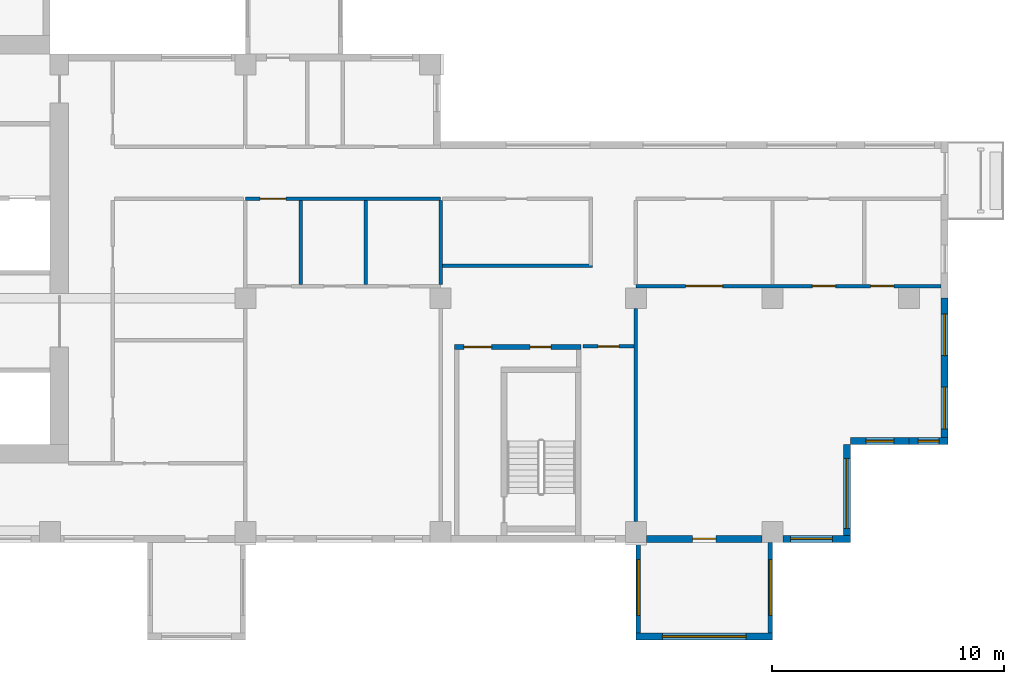
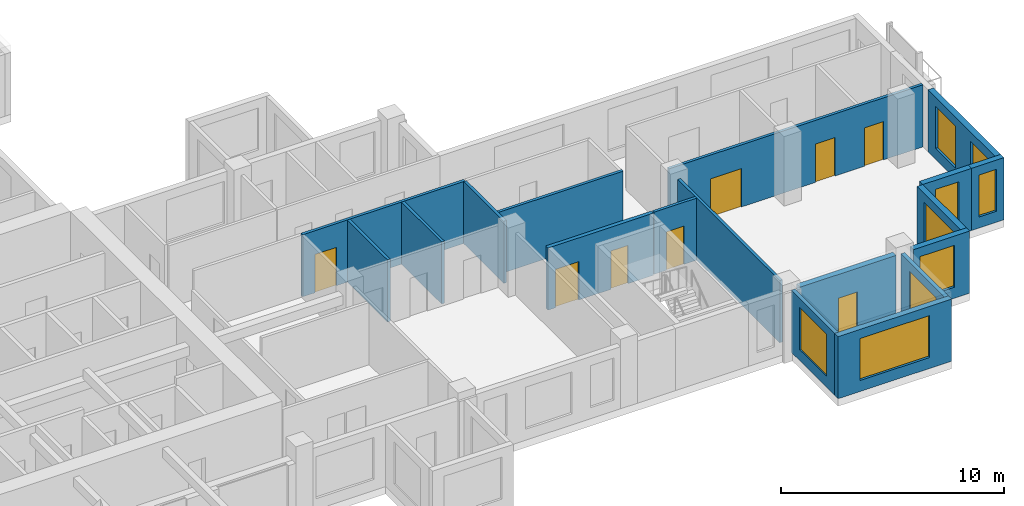
# One storey, part 5 of 13: 18 walls, 9 windows, 8 doors, 17 openings.
"""IFC4 building model written with IfcOpenShell, lengths in metres."""

import ifcopenshell
import ifcopenshell.guid

model = None  # the IFC model being written
_history = None  # IfcOwnerHistory: only IFC2X3 demands one
_inside = {}  # id of a spatial element -> (the spatial element, [elements in it])
_under = {}  # id of a project, library or spatial element -> (it, [spatial elements below it])
_declared = {}  # id of a project -> (the project, [libraries it declares])
_typed = {}  # id of a type object -> (the type object, [elements of that type])
_made_of = {}  # id of a material, layer set ... -> (it, [elements and type objects made of it])


def new_model(schema):
    """Start an empty IFC model of exactly this schema.

    Asked for "IFC4X3", IfcOpenShell would pick the latest addendum, in which some entities
    have other attributes; the version numbers below select the first issue.
    IFC2X3 requires an IfcOwnerHistory on every rooted entity: one is made here for all.
    """
    global model, _history
    if schema == "IFC4X3":
        model = ifcopenshell.file(schema_version=(4, 3, 0, 0))
    else:
        model = ifcopenshell.file(schema=schema)
    _inside.clear()
    _under.clear()
    _declared.clear()
    _typed.clear()
    _made_of.clear()
    _history = None
    if model.schema == "IFC2X3":
        org = make("IfcOrganization", Name="unknown")
        user = make(
            "IfcPersonAndOrganization",
            ThePerson=make("IfcPerson", FamilyName="unknown"),
            TheOrganization=org,
        )
        app = make(
            "IfcApplication",
            ApplicationDeveloper=org,
            Version="unknown",
            ApplicationFullName="unknown",
            ApplicationIdentifier="unknown",
        )
        _history = make(
            "IfcOwnerHistory",
            OwningUser=user,
            OwningApplication=app,
            ChangeAction="ADDED",
            CreationDate=0,
        )
    return model


def make(cls, **values):
    """One entity of the class cls with the attributes given. An attribute that is None is left unset."""
    return model.create_entity(
        cls, **{name: value for name, value in values.items() if value is not None}
    )


def rooted(cls, **values):
    """An entity with a GlobalId (a new one), such as an element, a storey or a relation."""
    return make(cls, GlobalId=ifcopenshell.guid.new(), OwnerHistory=_history, **values)


def si_unit(unit_type, name, prefix=None):
    """IfcSIUnit, for example si_unit("LENGTHUNIT", "METRE", prefix="MILLI")."""
    return make("IfcSIUnit", UnitType=unit_type, Prefix=prefix, Name=name)


def assignment(units):
    """IfcUnitAssignment: the units of a project."""
    return None if units is None else make("IfcUnitAssignment", Units=units)


def point(xyz):
    """IfcCartesianPoint."""
    return None if xyz is None else make("IfcCartesianPoint", Coordinates=xyz)


def direction(xyz):
    """IfcDirection."""
    return None if xyz is None else make("IfcDirection", DirectionRatios=xyz)


def frame(location, z_axis=None, x_axis=None):
    """IfcAxis2Placement3D, a coordinate frame: its origin and axes. An axis left out is left unset."""
    return make(
        "IfcAxis2Placement3D",
        Location=point(location),
        Axis=direction(z_axis),
        RefDirection=direction(x_axis),
    )


def frame_2d(location, x_axis=None):
    """IfcAxis2Placement2D, a coordinate frame in the plane: its origin and x axis."""
    return make(
        "IfcAxis2Placement2D", Location=point(location), RefDirection=direction(x_axis)
    )


def origin():
    """The frame at (0, 0, 0) with its axes left unset."""
    return frame((0.0, 0.0, 0.0))


def place(relative_to, where):
    """IfcLocalPlacement: puts the frame where relative to a parent placement (None: the world)."""
    return make(
        "IfcLocalPlacement", PlacementRelTo=relative_to, RelativePlacement=where
    )


def context(
    kind, dimensions, precision=None, world=None, true_north=None, identifier=None
):
    """IfcGeometricRepresentationContext, for example the 3D "Model" context."""
    return make(
        "IfcGeometricRepresentationContext",
        ContextIdentifier=identifier,
        ContextType=kind,
        CoordinateSpaceDimension=dimensions,
        Precision=precision,
        WorldCoordinateSystem=world,
        TrueNorth=true_north,
    )


def subcontext(parent, identifier, kind, view, scale=None):
    """IfcGeometricRepresentationSubContext, for example "Body" below "Model"."""
    return make(
        "IfcGeometricRepresentationSubContext",
        ContextIdentifier=identifier,
        ContextType=kind,
        ParentContext=parent,
        TargetScale=scale,
        TargetView=view,
    )


def project(units=None, contexts=None):
    """IfcProject with its units and contexts."""
    return rooted(
        "IfcProject",
        Name="project",
        RepresentationContexts=contexts,
        UnitsInContext=assignment(units),
    )


def spatial(cls, under=None, at=None, **own):
    """A site, building, storey or space (cls), placed at a placement, below another one or the project."""
    s = rooted(cls, ObjectPlacement=at, **own)
    if under is not None:
        _under.setdefault(under.id(), (under, []))[1].append(s)
    return s


def profile(cls, at=None, kind="AREA", **sizes):
    """A parametric profile (cls). Its sizes go by their IFC names, for example OverallWidth=200.0."""
    return make(cls, ProfileType=kind, Position=at, **sizes)


def rectangle(**sizes):
    """IfcRectangleProfileDef."""
    return profile("IfcRectangleProfileDef", **sizes)


def extrude(swept, where, along, depth):
    """IfcExtrudedAreaSolid: the profile swept, set in the frame where, extruded along a direction by depth."""
    return make(
        "IfcExtrudedAreaSolid",
        SweptArea=swept,
        Position=where,
        ExtrudedDirection=direction(along),
        Depth=depth,
    )


def shape(context_of_items, identifier, shape_type, items):
    """IfcShapeRepresentation: the items that make up one representation, for example the "Body"."""
    return make(
        "IfcShapeRepresentation",
        ContextOfItems=context_of_items,
        RepresentationIdentifier=identifier,
        RepresentationType=shape_type,
        Items=items,
    )


def source(mapping_origin, context_of_items, identifier, shape_type, items):
    """IfcRepresentationMap: a shape defined once, which mapped items show again and again."""
    return make(
        "IfcRepresentationMap",
        MappingOrigin=mapping_origin,
        MappedRepresentation=shape(context_of_items, identifier, shape_type, items),
    )


def transform(
    local_origin,
    x_axis=None,
    y_axis=None,
    z_axis=None,
    scale=None,
    scale2=None,
    scale3=None,
    uniform=True,
):
    """IfcCartesianTransformationOperator3D, or its non-uniform kind. x_axis, y_axis, z_axis: its Axis1, 2, 3."""
    if uniform:
        return make(
            "IfcCartesianTransformationOperator3D",
            Axis1=direction(x_axis),
            Axis2=direction(y_axis),
            LocalOrigin=point(local_origin),
            Scale=scale,
            Axis3=direction(z_axis),
        )
    return make(
        "IfcCartesianTransformationOperator3DnonUniform",
        Axis1=direction(x_axis),
        Axis2=direction(y_axis),
        LocalOrigin=point(local_origin),
        Scale=scale,
        Axis3=direction(z_axis),
        Scale2=scale2,
        Scale3=scale3,
    )


def mapped(mapping_source, mapping_target):
    """IfcMappedItem: shows the shape of a source again, moved by a transform."""
    return make(
        "IfcMappedItem", MappingSource=mapping_source, MappingTarget=mapping_target
    )


def material(Name=None, Category=None):
    """IfcMaterial."""
    return make("IfcMaterial", Name=Name, Category=Category)


def layer(
    of_material, thickness, ventilated=None, Name=None, Category=None, Priority=None
):
    """IfcMaterialLayer: one layer of a wall or slab, of a material (None: an air gap)."""
    return make(
        "IfcMaterialLayer",
        Material=of_material,
        LayerThickness=thickness,
        IsVentilated=ventilated,
        Name=Name,
        Category=Category,
        Priority=Priority,
    )


def layer_set(layers, Name=None):
    """IfcMaterialLayerSet."""
    return make("IfcMaterialLayerSet", MaterialLayers=layers, LayerSetName=Name)


def made_of(thing, what):
    """Note that an element or type object is made of a material, layer set ...; save() writes the relation."""
    if what is not None:
        _made_of.setdefault(what.id(), (what, []))[1].append(thing)
    return thing


def type_object(cls, material=None, **own):
    """A type object (cls), such as IfcWallType, which elements share."""
    return made_of(rooted(cls, **own), material)


def element(
    cls,
    number,
    at=None,
    inside=None,
    cuts=None,
    type_object=None,
    material=None,
    context=None,
    identifier="Body",
    shape_type=None,
    held_by="IfcProductDefinitionShape",
    body=None,
    shapes=None,
    **own,
):
    """One element of the class cls, such as IfcWall. Its Tag is "e" and its number.

    at: its placement. inside: the storey or other place that contains it. cuts: it is an
    opening in that element (IfcRelVoidsElement). A single representation is given by context,
    identifier, shape_type and body (its items); several are given by shapes. held_by: the class
    of the entity that holds the representations. save() writes the other relations.
    """
    e = rooted(cls, Tag="e%d" % number, ObjectPlacement=at, **own)
    if body is not None:
        shapes = [shape(context, identifier, shape_type, body)]
    if shapes is not None:
        e.Representation = make(held_by, Representations=shapes)
    if inside is not None:
        _inside.setdefault(inside.id(), (inside, []))[1].append(e)
    if cuts is not None:
        rooted(
            "IfcRelVoidsElement", RelatingBuildingElement=cuts, RelatedOpeningElement=e
        )
    if type_object is not None:
        _typed.setdefault(type_object.id(), (type_object, []))[1].append(e)
    return made_of(e, material)


def fill(opening, filler):
    """IfcRelFillsElement: the door or window that sits in an opening."""
    return rooted(
        "IfcRelFillsElement",
        RelatingOpeningElement=opening,
        RelatedBuildingElement=filler,
    )


def aggregate(whole, parts):
    """IfcRelAggregates: a whole, such as a stair, and the parts it consists of."""
    return rooted("IfcRelAggregates", RelatingObject=whole, RelatedObjects=parts)


def save(model, path):
    """Write the relations noted so far, then the file.

    IfcRelAggregates (storeys below a building ...), IfcRelContainedInSpatialStructure (elements
    in a storey), IfcRelDefinesByType, IfcRelAssociatesMaterial and IfcRelDeclares: one each for
    every whole, place, type object, material and project.
    """
    for whole, parts in _under.values():
        aggregate(whole, parts)
    for where, things in _inside.values():
        rooted(
            "IfcRelContainedInSpatialStructure",
            RelatedElements=things,
            RelatingStructure=where,
        )
    for kind, things in _typed.values():
        rooted("IfcRelDefinesByType", RelatedObjects=things, RelatingType=kind)
    for what, things in _made_of.values():
        rooted("IfcRelAssociatesMaterial", RelatedObjects=things, RelatingMaterial=what)
    for by, libraries in _declared.values():
        rooted("IfcRelDeclares", RelatingContext=by, RelatedDefinitions=libraries)
    model.write(path)


model = new_model("IFC4")

# Units and contexts
model_context = context("Model", 3, precision=1e-05, world=origin(), true_north=direction((0.0, 1.0)))
body_context = subcontext(model_context, "Body", "Model", "MODEL_VIEW")
ifc_project = project(units=[si_unit("LENGTHUNIT", "METRE"), si_unit("AREAUNIT", "SQUARE_METRE"), si_unit("VOLUMEUNIT", "CUBIC_METRE"), si_unit("PLANEANGLEUNIT", "RADIAN"), si_unit("MASSUNIT", "GRAM", prefix="KILO")], contexts=[model_context])

# Site, building, storey
site_placement = place(None, origin())
site = spatial("IfcSite", under=ifc_project, at=site_placement, CompositionType="ELEMENT")
building_placement = place(site_placement, origin())
building = spatial("IfcBuilding", under=site, at=building_placement, Name="Aurelian Terraces", CompositionType="ELEMENT")
storey_placement = place(building_placement, frame((0.0, 0.0, 193.0)))
storey = spatial("IfcBuildingStorey", under=building, at=storey_placement, Name="L42", CompositionType="ELEMENT", Elevation=193.0)

# Wall, opening, window
ifc_material_1 = material(Name="Terracotta rainscreen cladding", Category="masonry")
ifc_layer_1 = layer(ifc_material_1, 0.3)
ifc_layer_set_1 = layer_set([ifc_layer_1], Name="EW-300")
wall_type_1 = type_object("IfcWallType", Name="EW-300", PredefinedType="STANDARD", material=ifc_layer_set_1)
shared_shape_1 = source(origin(), body_context, "Body", "SweptSolid", [
    extrude(rectangle(XDim=2.91, YDim=0.3, at=frame_2d((1.455, 0.0))), origin(), (0.0, 0.0, 1.0), 3.4),
])
wall_1_placement = place(storey_placement, frame((52.53, 0.15, 0.0), z_axis=(0.0, 0.0, 1.0), x_axis=(1.0, 0.0, 0.0)))
wall_1 = element("IfcWall", 1, at=wall_1_placement, inside=storey, type_object=wall_type_1, Name="External wall L42 F01.8", PredefinedType="STANDARD", context=body_context, shape_type="MappedRepresentation", body=[
    mapped(shared_shape_1, transform((0.0, 0.0, 0.0), scale=1.0)),
])
shared_shape_2 = source(origin(), body_context, "Body", "SweptSolid", [
    extrude(rectangle(XDim=1.8, YDim=2.3, at=frame_2d((0.9, 1.15))), frame((0.0, 0.16, 0.0), z_axis=(0.0, -1.0, 0.0), x_axis=(1.0, 0.0, 0.0)), (0.0, 0.0, 1.0), 0.32),
])
opening_1_placement = place(wall_1_placement, frame((0.33, 0.0, 0.6)))
opening_1 = element("IfcOpeningElement", 2, at=opening_1_placement, cuts=wall_1, Name="Opening W1823", PredefinedType="OPENING", context=body_context, shape_type="MappedRepresentation", body=[
    mapped(shared_shape_2, transform((0.0, 0.0, 0.0), scale=1.0)),
])
ifc_material_2 = material(Name="Clear glazing", Category="glass")
window_type_1 = type_object("IfcWindowType", Name="W-1800x2300", PartitioningType="SINGLE_PANEL", PredefinedType="WINDOW", material=ifc_material_2)
shared_shape_3 = source(origin(), body_context, "Body", "SweptSolid", [
    extrude(rectangle(XDim=1.8, YDim=2.3, at=frame_2d((0.9, 1.15))), frame((0.0, 0.03, 0.0), z_axis=(0.0, -1.0, 0.0), x_axis=(1.0, 0.0, 0.0)), (0.0, 0.0, 1.0), 0.06),
])
window_1_placement = place(opening_1_placement, origin())
window_1 = element("IfcWindow", 3, at=window_1_placement, inside=storey, type_object=window_type_1, Name="Window L42 L42-F01-08-0", OverallHeight=2.3, OverallWidth=1.8, PartitioningType="SINGLE_PANEL", PredefinedType="WINDOW", context=body_context, shape_type="MappedRepresentation", body=[
    mapped(shared_shape_3, transform((0.0, 0.0, 0.0), scale=1.0)),
])
fill(opening_1, window_1)

shared_shape_4 = source(origin(), body_context, "Body", "SweptSolid", [
    extrude(rectangle(XDim=4.2, YDim=0.3, at=frame_2d((2.1, 0.0))), origin(), (0.0, 0.0, 1.0), 3.4),
])
wall_2_placement = place(storey_placement, frame((55.29, 0.0, 0.0), z_axis=(0.0, 0.0, 1.0), x_axis=(0.0, 1.0, 0.0)))
wall_2 = element("IfcWall", 4, at=wall_2_placement, inside=storey, type_object=wall_type_1, Name="External wall L42 F02.9", PredefinedType="STANDARD", context=body_context, shape_type="MappedRepresentation", body=[
    mapped(shared_shape_4, transform((0.0, 0.0, 0.0), scale=1.0)),
])
shared_shape_5 = source(origin(), body_context, "Body", "SweptSolid", [
    extrude(rectangle(XDim=3.0, YDim=2.3, at=frame_2d((1.5, 1.15))), frame((0.0, 0.16, 0.0), z_axis=(0.0, -1.0, 0.0), x_axis=(1.0, 0.0, 0.0)), (0.0, 0.0, 1.0), 0.32),
])
opening_2_placement = place(wall_2_placement, frame((0.6, 0.0, 0.6)))
opening_2 = element("IfcOpeningElement", 5, at=opening_2_placement, cuts=wall_2, Name="Opening W3023", PredefinedType="OPENING", context=body_context, shape_type="MappedRepresentation", body=[
    mapped(shared_shape_5, transform((0.0, 0.0, 0.0), scale=1.0)),
])
window_type_2 = type_object("IfcWindowType", Name="W-3000x2300", PartitioningType="SINGLE_PANEL", PredefinedType="WINDOW", material=ifc_material_2)
shared_shape_6 = source(origin(), body_context, "Body", "SweptSolid", [
    extrude(rectangle(XDim=3.0, YDim=2.3, at=frame_2d((1.5, 1.15))), frame((0.0, 0.03, 0.0), z_axis=(0.0, -1.0, 0.0), x_axis=(1.0, 0.0, 0.0)), (0.0, 0.0, 1.0), 0.06),
])
window_2_placement = place(opening_2_placement, origin())
window_2 = element("IfcWindow", 6, at=window_2_placement, inside=storey, type_object=window_type_2, Name="Window L42 L42-F02-09-0", OverallHeight=2.3, OverallWidth=3.0, PartitioningType="SINGLE_PANEL", PredefinedType="WINDOW", context=body_context, shape_type="MappedRepresentation", body=[
    mapped(shared_shape_6, transform((0.0, 0.0, 0.0), scale=1.0)),
])
fill(opening_2, window_2)

shared_shape_7 = source(origin(), body_context, "Body", "SweptSolid", [
    extrude(rectangle(XDim=2.52, YDim=0.3, at=frame_2d((1.26, 0.0))), origin(), (0.0, 0.0, 1.0), 3.4),
])
wall_3_placement = place(storey_placement, frame((55.44, 4.35, 0.0), z_axis=(0.0, 0.0, 1.0), x_axis=(1.0, 0.0, 0.0)))
wall_3 = element("IfcWall", 7, at=wall_3_placement, inside=storey, type_object=wall_type_1, Name="External wall L42 F03.10", PredefinedType="STANDARD", context=body_context, shape_type="MappedRepresentation", body=[
    mapped(shared_shape_7, transform((0.0, 0.0, 0.0), scale=1.0)),
])
shared_shape_8 = source(origin(), body_context, "Body", "SweptSolid", [
    extrude(rectangle(XDim=1.2, YDim=2.3, at=frame_2d((0.6, 1.15))), frame((0.0, 0.16, 0.0), z_axis=(0.0, -1.0, 0.0), x_axis=(1.0, 0.0, 0.0)), (0.0, 0.0, 1.0), 0.32),
])
opening_3_placement = place(wall_3_placement, frame((0.66, 0.0, 0.6)))
opening_3 = element("IfcOpeningElement", 8, at=opening_3_placement, cuts=wall_3, Name="Opening W1223", PredefinedType="OPENING", context=body_context, shape_type="MappedRepresentation", body=[
    mapped(shared_shape_8, transform((0.0, 0.0, 0.0), scale=1.0)),
])
window_type_3 = type_object("IfcWindowType", Name="W-1200x2300", PartitioningType="SINGLE_PANEL", PredefinedType="WINDOW", material=ifc_material_2)
shared_shape_9 = source(origin(), body_context, "Body", "SweptSolid", [
    extrude(rectangle(XDim=1.2, YDim=2.3, at=frame_2d((0.6, 1.15))), frame((0.0, 0.03, 0.0), z_axis=(0.0, -1.0, 0.0), x_axis=(1.0, 0.0, 0.0)), (0.0, 0.0, 1.0), 0.06),
])
window_3_placement = place(opening_3_placement, origin())
window_3 = element("IfcWindow", 9, at=window_3_placement, inside=storey, type_object=window_type_3, Name="Window L42 L42-F03-10-0", OverallHeight=2.3, OverallWidth=1.2, PartitioningType="SINGLE_PANEL", PredefinedType="WINDOW", context=body_context, shape_type="MappedRepresentation", body=[
    mapped(shared_shape_9, transform((0.0, 0.0, 0.0), scale=1.0)),
])
fill(opening_3, window_3)

shared_shape_10 = source(origin(), body_context, "Body", "SweptSolid", [
    extrude(rectangle(XDim=1.68, YDim=0.3, at=frame_2d((0.84, 0.0))), origin(), (0.0, 0.0, 1.0), 3.4),
])
wall_4_placement = place(storey_placement, frame((57.96, 4.35, 0.0), z_axis=(0.0, 0.0, 1.0), x_axis=(1.0, 0.0, 0.0)))
wall_4 = element("IfcWall", 10, at=wall_4_placement, inside=storey, type_object=wall_type_1, Name="External wall L42 F03.11", PredefinedType="STANDARD", context=body_context, shape_type="MappedRepresentation", body=[
    mapped(shared_shape_10, transform((0.0, 0.0, 0.0), scale=1.0)),
])
shared_shape_11 = source(origin(), body_context, "Body", "SweptSolid", [
    extrude(rectangle(XDim=0.9, YDim=2.3, at=frame_2d((0.45, 1.15))), frame((0.0, 0.16, 0.0), z_axis=(0.0, -1.0, 0.0), x_axis=(1.0, 0.0, 0.0)), (0.0, 0.0, 1.0), 0.32),
])
opening_4_placement = place(wall_4_placement, frame((0.39, 0.0, 0.6)))
opening_4 = element("IfcOpeningElement", 11, at=opening_4_placement, cuts=wall_4, Name="Opening W0923", PredefinedType="OPENING", context=body_context, shape_type="MappedRepresentation", body=[
    mapped(shared_shape_11, transform((0.0, 0.0, 0.0), scale=1.0)),
])
window_type_4 = type_object("IfcWindowType", Name="W-900x2300", PartitioningType="SINGLE_PANEL", PredefinedType="WINDOW", material=ifc_material_2)
shared_shape_12 = source(origin(), body_context, "Body", "SweptSolid", [
    extrude(rectangle(XDim=0.9, YDim=2.3, at=frame_2d((0.45, 1.15))), frame((0.0, 0.03, 0.0), z_axis=(0.0, -1.0, 0.0), x_axis=(1.0, 0.0, 0.0)), (0.0, 0.0, 1.0), 0.06),
])
window_4_placement = place(opening_4_placement, origin())
window_4 = element("IfcWindow", 12, at=window_4_placement, inside=storey, type_object=window_type_4, Name="Window L42 L42-F03-11-P0", OverallHeight=2.3, OverallWidth=0.9, PartitioningType="SINGLE_PANEL", PredefinedType="WINDOW", context=body_context, shape_type="MappedRepresentation", body=[
    mapped(shared_shape_12, transform((0.0, 0.0, 0.0), scale=1.0)),
])
fill(opening_4, window_4)

ifc_material_3 = material(Name="Concrete fc' 40 MPa", Category="concrete")
ifc_layer_2 = layer(ifc_material_3, 0.2)
ifc_layer_set_2 = layer_set([ifc_layer_2], Name="BOX BEARING WALL 200")
wall_type_2 = type_object("IfcWallType", Name="BOX BEARING WALL 200", PredefinedType="SOLIDWALL", material=ifc_layer_set_2)
shared_shape_13 = source(origin(), body_context, "Body", "SweptSolid", [
    extrude(rectangle(XDim=3.9, YDim=0.2, at=frame_2d((1.95, 0.0))), origin(), (0.0, 0.0, 1.0), 3.4),
])
wall_5_placement = place(storey_placement, frame((46.3, 0.0, 0.0), z_axis=(0.0, 0.0, 1.0), x_axis=(0.0, -1.0, 0.0)))
wall_5 = element("IfcWall", 13, at=wall_5_placement, inside=storey, type_object=wall_type_2, Name="Box return L42 J56.1", PredefinedType="SOLIDWALL", context=body_context, shape_type="MappedRepresentation", body=[
    mapped(shared_shape_13, transform((0.0, 0.0, 0.0), scale=1.0)),
])
shared_shape_14 = source(origin(), body_context, "Body", "SweptSolid", [
    extrude(rectangle(XDim=2.4, YDim=2.3, at=frame_2d((1.2, 1.15))), frame((0.0, 0.11, 0.0), z_axis=(0.0, -1.0, 0.0), x_axis=(1.0, 0.0, 0.0)), (0.0, 0.0, 1.0), 0.22),
])
opening_5_placement = place(wall_5_placement, frame((0.75, 0.0, 0.6)))
opening_5 = element("IfcOpeningElement", 14, at=opening_5_placement, cuts=wall_5, Name="Opening W2423", PredefinedType="OPENING", context=body_context, shape_type="MappedRepresentation", body=[
    mapped(shared_shape_14, transform((0.0, 0.0, 0.0), scale=1.0)),
])
window_type_5 = type_object("IfcWindowType", Name="W-2400x2300", PartitioningType="SINGLE_PANEL", PredefinedType="WINDOW", material=ifc_material_2)
shared_shape_15 = source(origin(), body_context, "Body", "SweptSolid", [
    extrude(rectangle(XDim=2.4, YDim=2.3, at=frame_2d((1.2, 1.15))), frame((0.0, 0.03, 0.0), z_axis=(0.0, -1.0, 0.0), x_axis=(1.0, 0.0, 0.0)), (0.0, 0.0, 1.0), 0.06),
])
window_5_placement = place(opening_5_placement, origin())
window_5 = element("IfcWindow", 15, at=window_5_placement, inside=storey, type_object=window_type_5, Name="Window L42 J56-S1", OverallHeight=2.3, OverallWidth=2.4, PartitioningType="SINGLE_PANEL", PredefinedType="WINDOW", context=body_context, shape_type="MappedRepresentation", body=[
    mapped(shared_shape_15, transform((0.0, 0.0, 0.0), scale=1.0)),
])
fill(opening_5, window_5)

wall_6_placement = place(storey_placement, frame((51.98, 0.0, 0.0), z_axis=(0.0, 0.0, 1.0), x_axis=(0.0, -1.0, 0.0)))
wall_6 = element("IfcWall", 16, at=wall_6_placement, inside=storey, type_object=wall_type_2, Name="Box return L42 J56.2", PredefinedType="SOLIDWALL", context=body_context, shape_type="MappedRepresentation", body=[
    mapped(shared_shape_13, transform((0.0, 0.0, 0.0), scale=1.0)),
])
opening_6_placement = place(wall_6_placement, frame((0.75, 0.0, 0.6)))
opening_6 = element("IfcOpeningElement", 17, at=opening_6_placement, cuts=wall_6, Name="Opening W2423", PredefinedType="OPENING", context=body_context, shape_type="MappedRepresentation", body=[
    mapped(shared_shape_14, transform((0.0, 0.0, 0.0), scale=1.0)),
])
window_6_placement = place(opening_6_placement, origin())
window_6 = element("IfcWindow", 18, at=window_6_placement, inside=storey, type_object=window_type_5, Name="Window L42 J56-S2", OverallHeight=2.3, OverallWidth=2.4, PartitioningType="SINGLE_PANEL", PredefinedType="WINDOW", context=body_context, shape_type="MappedRepresentation", body=[
    mapped(shared_shape_15, transform((0.0, 0.0, 0.0), scale=1.0)),
])
fill(opening_6, window_6)

# Wall, opening, door
shared_shape_16 = source(origin(), body_context, "Body", "SweptSolid", [
    extrude(rectangle(XDim=4.98, YDim=0.3, at=frame_2d((2.49, 0.0))), origin(), (0.0, 0.0, 1.0), 3.4),
])
wall_7_placement = place(storey_placement, frame((46.65, 0.15, 0.0), z_axis=(0.0, 0.0, 1.0), x_axis=(1.0, 0.0, 0.0)))
wall_7 = element("IfcWall", 19, at=wall_7_placement, inside=storey, type_object=wall_type_1, Name="External wall L42 F01.7", PredefinedType="STANDARD", context=body_context, shape_type="MappedRepresentation", body=[
    mapped(shared_shape_16, transform((0.0, 0.0, 0.0), scale=1.0)),
])
shared_shape_17 = source(origin(), body_context, "Body", "SweptSolid", [
    extrude(rectangle(XDim=1.0, YDim=2.1, at=frame_2d((0.5, 1.05))), frame((0.0, 0.16, 0.0), z_axis=(0.0, -1.0, 0.0), x_axis=(1.0, 0.0, 0.0)), (0.0, 0.0, 1.0), 0.32),
])
opening_7_placement = place(wall_7_placement, frame((1.99, 0.0, 0.0)))
opening_7 = element("IfcOpeningElement", 20, at=opening_7_placement, cuts=wall_7, Name="Opening 842001", PredefinedType="OPENING", context=body_context, shape_type="MappedRepresentation", body=[
    mapped(shared_shape_17, transform((0.0, 0.0, 0.0), scale=1.0)),
])
ifc_material_4 = material(Name="Timber door leaf", Category="wood")
door_type_1 = type_object("IfcDoorType", Name="Room door 1000x2100 left", OperationType="SINGLE_SWING_LEFT", PredefinedType="DOOR", material=ifc_material_4)
shared_shape_18 = source(origin(), body_context, "Body", "SweptSolid", [
    extrude(rectangle(XDim=1.0, YDim=2.1, at=frame_2d((0.5, 1.05))), frame((0.0, 0.025, 0.0), z_axis=(0.0, -1.0, 0.0), x_axis=(1.0, 0.0, 0.0)), (0.0, 0.0, 1.0), 0.05),
])
door_1_placement = place(opening_7_placement, origin())
door_1 = element("IfcDoor", 21, at=door_1_placement, inside=storey, type_object=door_type_1, Name="Door 842001", OperationType="SINGLE_SWING_LEFT", OverallHeight=2.1, OverallWidth=1.0, PredefinedType="DOOR", context=body_context, shape_type="MappedRepresentation", body=[
    mapped(shared_shape_18, transform((0.0, 0.0, 0.0), scale=1.0)),
])
fill(opening_7, door_1)

# Wall, openings, windows
shared_shape_19 = source(origin(), body_context, "Body", "SweptSolid", [
    extrude(rectangle(XDim=6.3, YDim=0.3, at=frame_2d((3.15, 0.0))), origin(), (0.0, 0.0, 1.0), 3.4),
])
wall_8_placement = place(storey_placement, frame((59.49, 4.2, 0.0), z_axis=(0.0, 0.0, 1.0), x_axis=(0.0, 1.0, 0.0)))
wall_8 = element("IfcWall", 22, at=wall_8_placement, inside=storey, type_object=wall_type_1, Name="External wall L42 F04.12", PredefinedType="STANDARD", context=body_context, shape_type="MappedRepresentation", body=[
    mapped(shared_shape_19, transform((0.0, 0.0, 0.0), scale=1.0)),
])
opening_8_placement = place(wall_8_placement, frame((0.675, 0.0, 0.6)))
opening_8 = element("IfcOpeningElement", 23, at=opening_8_placement, cuts=wall_8, Name="Opening W1823", PredefinedType="OPENING", context=body_context, shape_type="MappedRepresentation", body=[
    mapped(shared_shape_2, transform((0.0, 0.0, 0.0), scale=1.0)),
])
opening_9_placement = place(wall_8_placement, frame((3.825, 0.0, 0.6)))
opening_9 = element("IfcOpeningElement", 24, at=opening_9_placement, cuts=wall_8, Name="Opening W1823", PredefinedType="OPENING", context=body_context, shape_type="MappedRepresentation", body=[
    mapped(shared_shape_2, transform((0.0, 0.0, 0.0), scale=1.0)),
])
window_7_placement = place(opening_8_placement, origin())
window_7 = element("IfcWindow", 25, at=window_7_placement, inside=storey, type_object=window_type_1, Name="Window L42 L42-F04-12-0", OverallHeight=2.3, OverallWidth=1.8, PartitioningType="SINGLE_PANEL", PredefinedType="WINDOW", context=body_context, shape_type="MappedRepresentation", body=[
    mapped(shared_shape_3, transform((0.0, 0.0, 0.0), scale=1.0)),
])
fill(opening_8, window_7)
window_8_placement = place(opening_9_placement, origin())
window_8 = element("IfcWindow", 26, at=window_8_placement, inside=storey, type_object=window_type_1, Name="Window L42 L42-F04-12-1", OverallHeight=2.3, OverallWidth=1.8, PartitioningType="SINGLE_PANEL", PredefinedType="WINDOW", context=body_context, shape_type="MappedRepresentation", body=[
    mapped(shared_shape_3, transform((0.0, 0.0, 0.0), scale=1.0)),
])
fill(opening_9, window_8)

# Wall, opening, window
ifc_layer_3 = layer(ifc_material_3, 0.3)
ifc_layer_set_3 = layer_set([ifc_layer_3], Name="BOX BEARING WALL 300")
wall_type_3 = type_object("IfcWallType", Name="BOX BEARING WALL 300", PredefinedType="SOLIDWALL", material=ifc_layer_set_3)
shared_shape_20 = source(origin(), body_context, "Body", "SweptSolid", [
    extrude(rectangle(XDim=5.88, YDim=0.3, at=frame_2d((2.94, 0.0))), origin(), (0.0, 0.0, 1.0), 3.4),
])
wall_9_placement = place(storey_placement, frame((46.2, -4.05, 0.0), z_axis=(0.0, 0.0, 1.0), x_axis=(1.0, 0.0, 0.0)))
wall_9 = element("IfcWall", 27, at=wall_9_placement, inside=storey, type_object=wall_type_3, Name="Box wall L42 J56", PredefinedType="SOLIDWALL", context=body_context, shape_type="MappedRepresentation", body=[
    mapped(shared_shape_20, transform((0.0, 0.0, 0.0), scale=1.0)),
])
shared_shape_21 = source(origin(), body_context, "Body", "SweptSolid", [
    extrude(rectangle(XDim=3.6, YDim=2.3, at=frame_2d((1.8, 1.15))), frame((0.0, 0.16, 0.0), z_axis=(0.0, -1.0, 0.0), x_axis=(1.0, 0.0, 0.0)), (0.0, 0.0, 1.0), 0.32),
])
opening_10_placement = place(wall_9_placement, frame((1.14, 0.0, 0.6)))
opening_10 = element("IfcOpeningElement", 28, at=opening_10_placement, cuts=wall_9, Name="Opening W3623", PredefinedType="OPENING", context=body_context, shape_type="MappedRepresentation", body=[
    mapped(shared_shape_21, transform((0.0, 0.0, 0.0), scale=1.0)),
])
window_type_6 = type_object("IfcWindowType", Name="W-3600x2300", PartitioningType="SINGLE_PANEL", PredefinedType="WINDOW", material=ifc_material_2)
shared_shape_22 = source(origin(), body_context, "Body", "SweptSolid", [
    extrude(rectangle(XDim=3.6, YDim=2.3, at=frame_2d((1.8, 1.15))), frame((0.0, 0.03, 0.0), z_axis=(0.0, -1.0, 0.0), x_axis=(1.0, 0.0, 0.0)), (0.0, 0.0, 1.0), 0.06),
])
window_9_placement = place(opening_10_placement, origin())
window_9 = element("IfcWindow", 29, at=window_9_placement, inside=storey, type_object=window_type_6, Name="Window L42 J56-F1", OverallHeight=2.3, OverallWidth=3.6, PartitioningType="SINGLE_PANEL", PredefinedType="WINDOW", context=body_context, shape_type="MappedRepresentation", body=[
    mapped(shared_shape_22, transform((0.0, 0.0, 0.0), scale=1.0)),
])
fill(opening_10, window_9)

# Wall, openings, doors
ifc_material_5 = material(Name="Gypsum board on steel studs", Category="steel")
ifc_layer_4 = layer(ifc_material_5, 0.2)
ifc_layer_set_4 = layer_set([ifc_layer_4], Name="Core partition 200")
wall_type_4 = type_object("IfcWallType", Name="Core partition 200", PredefinedType="PARTITIONING", material=ifc_layer_set_4)
shared_shape_23 = source(origin(), body_context, "Body", "SweptSolid", [
    extrude(rectangle(XDim=5.45, YDim=0.2, at=frame_2d((2.725, 0.0))), origin(), (0.0, 0.0, 1.0), 3.4),
])
wall_10_placement = place(storey_placement, frame((38.4, 8.4, 0.0), z_axis=(0.0, 0.0, 1.0), x_axis=(1.0, 0.0, 0.0)))
wall_10 = element("IfcWall", 30, at=wall_10_placement, inside=storey, type_object=wall_type_4, Name="L42 core wall ST-S2-BN", PredefinedType="PARTITIONING", context=body_context, shape_type="MappedRepresentation", body=[
    mapped(shared_shape_23, transform((0.0, 0.0, 0.0), scale=1.0)),
])
shared_shape_24 = source(origin(), body_context, "Body", "SweptSolid", [
    extrude(rectangle(XDim=1.2, YDim=2.1, at=frame_2d((0.6, 1.05))), frame((0.0, 0.11, 0.0), z_axis=(0.0, -1.0, 0.0), x_axis=(1.0, 0.0, 0.0)), (0.0, 0.0, 1.0), 0.22),
])
opening_11_placement = place(wall_10_placement, frame((0.4, 0.0, 0.0)))
opening_11 = element("IfcOpeningElement", 31, at=opening_11_placement, cuts=wall_10, Name="Opening 64518", PredefinedType="OPENING", context=body_context, shape_type="MappedRepresentation", body=[
    mapped(shared_shape_24, transform((0.0, 0.0, 0.0), scale=1.0)),
])
shared_shape_25 = source(origin(), body_context, "Body", "SweptSolid", [
    extrude(rectangle(XDim=0.9, YDim=2.1, at=frame_2d((0.45, 1.05))), frame((0.0, 0.11, 0.0), z_axis=(0.0, -1.0, 0.0), x_axis=(1.0, 0.0, 0.0)), (0.0, 0.0, 1.0), 0.22),
])
opening_12_placement = place(wall_10_placement, frame((3.25, 0.0, 0.0)))
opening_12 = element("IfcOpeningElement", 32, at=opening_12_placement, cuts=wall_10, Name="Opening 64519", PredefinedType="OPENING", context=body_context, shape_type="MappedRepresentation", body=[
    mapped(shared_shape_25, transform((0.0, 0.0, 0.0), scale=1.0)),
])
ifc_material_6 = material(Name="Steel door leaf", Category="steel")
door_type_2 = type_object("IfcDoorType", Name="Core riser door 900x2100", OperationType="SINGLE_SWING_LEFT", PredefinedType="DOOR", material=ifc_material_6)
shared_shape_26 = source(origin(), body_context, "Body", "SweptSolid", [
    extrude(rectangle(XDim=0.9, YDim=2.1, at=frame_2d((0.45, 1.05))), frame((0.0, 0.025, 0.0), z_axis=(0.0, -1.0, 0.0), x_axis=(1.0, 0.0, 0.0)), (0.0, 0.0, 1.0), 0.05),
])
door_2_placement = place(opening_12_placement, origin())
door_2 = element("IfcDoor", 33, at=door_2_placement, inside=storey, type_object=door_type_2, Name="Riser door 64519", OperationType="SINGLE_SWING_LEFT", OverallHeight=2.1, OverallWidth=0.9, PredefinedType="DOOR", context=body_context, shape_type="MappedRepresentation", body=[
    mapped(shared_shape_26, transform((0.0, 0.0, 0.0), scale=1.0)),
])
fill(opening_12, door_2)
door_type_3 = type_object("IfcDoorType", Name="Core fire door 1200x2100 right", OperationType="SINGLE_SWING_RIGHT", PredefinedType="DOOR", material=ifc_material_6)
shared_shape_27 = source(origin(), body_context, "Body", "SweptSolid", [
    extrude(rectangle(XDim=1.2, YDim=2.1, at=frame_2d((0.6, 1.05))), frame((0.0, 0.025, 0.0), z_axis=(0.0, -1.0, 0.0), x_axis=(1.0, 0.0, 0.0)), (0.0, 0.0, 1.0), 0.05),
])
door_3_placement = place(opening_11_placement, origin())
door_3 = element("IfcDoor", 34, at=door_3_placement, inside=storey, type_object=door_type_3, Name="Vestibule door 64518", OperationType="SINGLE_SWING_RIGHT", OverallHeight=2.1, OverallWidth=1.2, PredefinedType="DOOR", context=body_context, shape_type="MappedRepresentation", body=[
    mapped(shared_shape_27, transform((0.0, 0.0, 0.0), scale=1.0)),
])
fill(opening_11, door_3)

# Walls
ifc_layer_5 = layer(ifc_material_5, 0.15)
ifc_layer_set_5 = layer_set([ifc_layer_5], Name="Partition 150")
wall_type_5 = type_object("IfcWallType", Name="Partition 150", PredefinedType="PARTITIONING", material=ifc_layer_set_5)
shared_shape_28 = source(origin(), body_context, "Body", "SweptSolid", [
    extrude(rectangle(XDim=6.45, YDim=0.15, at=frame_2d((3.225, 0.0))), origin(), (0.0, 0.0, 1.0), 3.4),
])
wall_11_placement = place(storey_placement, frame((37.875, 11.9, 0.0), z_axis=(0.0, 0.0, 1.0), x_axis=(1.0, 0.0, 0.0)))
element("IfcWall", 35, at=wall_11_placement, inside=storey, type_object=wall_type_5, Name="Partition", PredefinedType="PARTITIONING", context=body_context, shape_type="MappedRepresentation", body=[
    mapped(shared_shape_28, transform((0.0, 0.0, 0.0), scale=1.0)),
])
ifc_layer_6 = layer(ifc_material_5, 0.15)
ifc_layer_set_6 = layer_set([ifc_layer_6], Name="Fire partition 150")
wall_type_6 = type_object("IfcWallType", Name="Fire partition 150", PredefinedType="PARTITIONING", material=ifc_layer_set_6)
shared_shape_29 = source(origin(), body_context, "Body", "SweptSolid", [
    extrude(rectangle(XDim=9.152, YDim=0.15, at=frame_2d((4.576, 0.0))), origin(), (0.0, 0.0, 1.0), 3.4),
])
wall_12_placement = place(storey_placement, frame((46.2, 0.899, 0.0), z_axis=(0.0, 0.0, 1.0), x_axis=(0.0, 1.0, 0.0)))
element("IfcWall", 36, at=wall_12_placement, inside=storey, type_object=wall_type_6, Name="Party wall", PredefinedType="PARTITIONING", context=body_context, shape_type="MappedRepresentation", body=[
    mapped(shared_shape_29, transform((0.0, 0.0, 0.0), scale=1.0)),
])
shared_shape_30 = source(origin(), body_context, "Body", "SweptSolid", [
    extrude(rectangle(XDim=3.6, YDim=0.15, at=frame_2d((1.8, 0.0))), origin(), (0.0, 0.0, 1.0), 3.4),
])
for number, where, z_axis, x_axis, name in (
    (37, (31.7771, 11.1, 0.0), (0.0, 0.0, 1.0), (0.0, 1.0, 0.0), "Partition"),
    (38, (34.5827, 11.1, 0.0), (0.0, 0.0, 1.0), (0.0, 1.0, 0.0), "Partition"),
):
    element("IfcWall", number, at=place(storey_placement, frame(where, z_axis=z_axis, x_axis=x_axis)), inside=storey, type_object=wall_type_5, Name=name, PredefinedType="PARTITIONING", context=body_context, shape_type="MappedRepresentation", body=[
        mapped(shared_shape_30, transform((0.0, 0.0, 0.0), scale=1.0)),
    ])
wall_13_placement = place(storey_placement, frame((37.8, 11.1, 0.0), z_axis=(0.0, 0.0, 1.0), x_axis=(0.0, 1.0, 0.0)))
element("IfcWall", 39, at=wall_13_placement, inside=storey, type_object=wall_type_6, Name="Party wall", PredefinedType="PARTITIONING", context=body_context, shape_type="MappedRepresentation", body=[
    mapped(shared_shape_30, transform((0.0, 0.0, 0.0), scale=1.0)),
])

# Wall, opening, door
shared_shape_31 = source(origin(), body_context, "Body", "SweptSolid", [
    extrude(rectangle(XDim=8.4, YDim=0.15, at=frame_2d((4.2, 0.0))), origin(), (0.0, 0.0, 1.0), 3.4),
])
wall_14_placement = place(storey_placement, frame((37.8, 14.775, 0.0), z_axis=(0.0, 0.0, 1.0), x_axis=(-1.0, 0.0, 0.0)))
wall_14 = element("IfcWall", 40, at=wall_14_placement, inside=storey, type_object=wall_type_6, Name="Corridor wall", PredefinedType="PARTITIONING", context=body_context, shape_type="MappedRepresentation", body=[
    mapped(shared_shape_31, transform((0.0, 0.0, 0.0), scale=1.0)),
])
shared_shape_32 = source(origin(), body_context, "Body", "SweptSolid", [
    extrude(rectangle(XDim=1.1, YDim=2.1, at=frame_2d((0.55, 1.05))), frame((0.0, 0.085, 0.0), z_axis=(0.0, -1.0, 0.0), x_axis=(1.0, 0.0, 0.0)), (0.0, 0.0, 1.0), 0.17),
])
opening_13_placement = place(wall_14_placement, frame((6.6615, 0.0, 0.0)))
opening_13 = element("IfcOpeningElement", 41, at=opening_13_placement, cuts=wall_14, Name="Opening 742007", PredefinedType="OPENING", context=body_context, shape_type="MappedRepresentation", body=[
    mapped(shared_shape_32, transform((0.0, 0.0, 0.0), scale=1.0)),
])
door_type_4 = type_object("IfcDoorType", Name="Entrance fire door 1100x2100 left", OperationType="SINGLE_SWING_LEFT", PredefinedType="DOOR", material=ifc_material_6)
shared_shape_33 = source(origin(), body_context, "Body", "SweptSolid", [
    extrude(rectangle(XDim=1.1, YDim=2.1, at=frame_2d((0.55, 1.05))), frame((0.0, 0.025, 0.0), z_axis=(0.0, -1.0, 0.0), x_axis=(1.0, 0.0, 0.0)), (0.0, 0.0, 1.0), 0.05),
])
door_4_placement = place(opening_13_placement, origin())
door_4 = element("IfcDoor", 42, at=door_4_placement, inside=storey, type_object=door_type_4, Name="Door 742007", OperationType="SINGLE_SWING_LEFT", OverallHeight=2.1, OverallWidth=1.1, PredefinedType="DOOR", context=body_context, shape_type="MappedRepresentation", body=[
    mapped(shared_shape_33, transform((0.0, 0.0, 0.0), scale=1.0)),
])
fill(opening_13, door_4)

# Wall, openings, doors
shared_shape_34 = source(origin(), body_context, "Body", "SweptSolid", [
    extrude(rectangle(XDim=13.14, YDim=0.15, at=frame_2d((6.57, 0.0))), origin(), (0.0, 0.0, 1.0), 3.4),
])
wall_15_placement = place(storey_placement, frame((59.34, 11.025, 0.0), z_axis=(0.0, 0.0, 1.0), x_axis=(-1.0, 0.0, 0.0)))
wall_15 = element("IfcWall", 43, at=wall_15_placement, inside=storey, type_object=wall_type_5, Name="Partition", PredefinedType="PARTITIONING", context=body_context, shape_type="MappedRepresentation", body=[
    mapped(shared_shape_34, transform((0.0, 0.0, 0.0), scale=1.0)),
])
shared_shape_35 = source(origin(), body_context, "Body", "SweptSolid", [
    extrude(rectangle(XDim=1.6, YDim=2.1, at=frame_2d((0.8, 1.05))), frame((0.0, 0.085, 0.0), z_axis=(0.0, -1.0, 0.0), x_axis=(1.0, 0.0, 0.0)), (0.0, 0.0, 1.0), 0.17),
])
opening_14_placement = place(wall_15_placement, frame((9.4025, 0.0, 0.0)))
opening_14 = element("IfcOpeningElement", 44, at=opening_14_placement, cuts=wall_15, Name="Opening 742012", PredefinedType="OPENING", context=body_context, shape_type="MappedRepresentation", body=[
    mapped(shared_shape_35, transform((0.0, 0.0, 0.0), scale=1.0)),
])
shared_shape_36 = source(origin(), body_context, "Body", "SweptSolid", [
    extrude(rectangle(XDim=1.0, YDim=2.1, at=frame_2d((0.5, 1.05))), frame((0.0, 0.085, 0.0), z_axis=(0.0, -1.0, 0.0), x_axis=(1.0, 0.0, 0.0)), (0.0, 0.0, 1.0), 0.17),
])
opening_15_placement = place(wall_15_placement, frame((4.5491, 0.0, 0.0)))
opening_15 = element("IfcOpeningElement", 45, at=opening_15_placement, cuts=wall_15, Name="Opening 742013", PredefinedType="OPENING", context=body_context, shape_type="MappedRepresentation", body=[
    mapped(shared_shape_36, transform((0.0, 0.0, 0.0), scale=1.0)),
])
opening_16_placement = place(wall_15_placement, frame((2.0381, 0.0, 0.0)))
opening_16 = element("IfcOpeningElement", 46, at=opening_16_placement, cuts=wall_15, Name="Opening 742014", PredefinedType="OPENING", context=body_context, shape_type="MappedRepresentation", body=[
    mapped(shared_shape_36, transform((0.0, 0.0, 0.0), scale=1.0)),
])
door_5_placement = place(opening_15_placement, origin())
door_5 = element("IfcDoor", 47, at=door_5_placement, inside=storey, type_object=door_type_1, Name="Door 742013", OperationType="SINGLE_SWING_LEFT", OverallHeight=2.1, OverallWidth=1.0, PredefinedType="DOOR", context=body_context, shape_type="MappedRepresentation", body=[
    mapped(shared_shape_18, transform((0.0, 0.0, 0.0), scale=1.0)),
])
fill(opening_15, door_5)
door_type_5 = type_object("IfcDoorType", Name="Room door 1000x2100 right", OperationType="SINGLE_SWING_RIGHT", PredefinedType="DOOR", material=ifc_material_4)
door_6_placement = place(opening_16_placement, origin())
door_6 = element("IfcDoor", 48, at=door_6_placement, inside=storey, type_object=door_type_5, Name="Door 742014", OperationType="SINGLE_SWING_RIGHT", OverallHeight=2.1, OverallWidth=1.0, PredefinedType="DOOR", context=body_context, shape_type="MappedRepresentation", body=[
    mapped(shared_shape_18, transform((0.0, 0.0, 0.0), scale=1.0)),
])
fill(opening_16, door_6)
door_type_6 = type_object("IfcDoorType", Name="Room door 1600x2100 right", OperationType="SINGLE_SWING_RIGHT", PredefinedType="DOOR", material=ifc_material_4)
shared_shape_37 = source(origin(), body_context, "Body", "SweptSolid", [
    extrude(rectangle(XDim=1.6, YDim=2.1, at=frame_2d((0.8, 1.05))), frame((0.0, 0.025, 0.0), z_axis=(0.0, -1.0, 0.0), x_axis=(1.0, 0.0, 0.0)), (0.0, 0.0, 1.0), 0.05),
])
door_7_placement = place(opening_14_placement, origin())
door_7 = element("IfcDoor", 49, at=door_7_placement, inside=storey, type_object=door_type_6, Name="Door 742012", OperationType="SINGLE_SWING_RIGHT", OverallHeight=2.1, OverallWidth=1.6, PredefinedType="DOOR", context=body_context, shape_type="MappedRepresentation", body=[
    mapped(shared_shape_37, transform((0.0, 0.0, 0.0), scale=1.0)),
])
fill(opening_14, door_7)

# Wall, opening, door
shared_shape_38 = source(origin(), body_context, "Body", "SweptSolid", [
    extrude(rectangle(XDim=2.2, YDim=0.15, at=frame_2d((1.1, 0.0))), origin(), (0.0, 0.0, 1.0), 3.4),
])
wall_16_placement = place(storey_placement, frame((46.125, 8.425, 0.0), z_axis=(0.0, 0.0, 1.0), x_axis=(-1.0, 0.0, 0.0)))
wall_16 = element("IfcWall", 50, at=wall_16_placement, inside=storey, type_object=wall_type_5, Name="Partition", PredefinedType="PARTITIONING", context=body_context, shape_type="MappedRepresentation", body=[
    mapped(shared_shape_38, transform((0.0, 0.0, 0.0), scale=1.0)),
])
shared_shape_39 = source(origin(), body_context, "Body", "SweptSolid", [
    extrude(rectangle(XDim=0.9, YDim=2.1, at=frame_2d((0.45, 1.05))), frame((0.0, 0.085, 0.0), z_axis=(0.0, -1.0, 0.0), x_axis=(1.0, 0.0, 0.0)), (0.0, 0.0, 1.0), 0.17),
])
opening_17_placement = place(wall_16_placement, frame((0.65, 0.0, 0.0)))
opening_17 = element("IfcOpeningElement", 51, at=opening_17_placement, cuts=wall_16, Name="Opening 742006", PredefinedType="OPENING", context=body_context, shape_type="MappedRepresentation", body=[
    mapped(shared_shape_39, transform((0.0, 0.0, 0.0), scale=1.0)),
])
door_type_7 = type_object("IfcDoorType", Name="Room door 900x2100 right", OperationType="SINGLE_SWING_RIGHT", PredefinedType="DOOR", material=ifc_material_4)
door_8_placement = place(opening_17_placement, origin())
door_8 = element("IfcDoor", 52, at=door_8_placement, inside=storey, type_object=door_type_7, Name="Door 742006", OperationType="SINGLE_SWING_RIGHT", OverallHeight=2.1, OverallWidth=0.9, PredefinedType="DOOR", context=body_context, shape_type="MappedRepresentation", body=[
    mapped(shared_shape_26, transform((0.0, 0.0, 0.0), scale=1.0)),
])
fill(opening_17, door_8)

save(model, "model.ifc")
